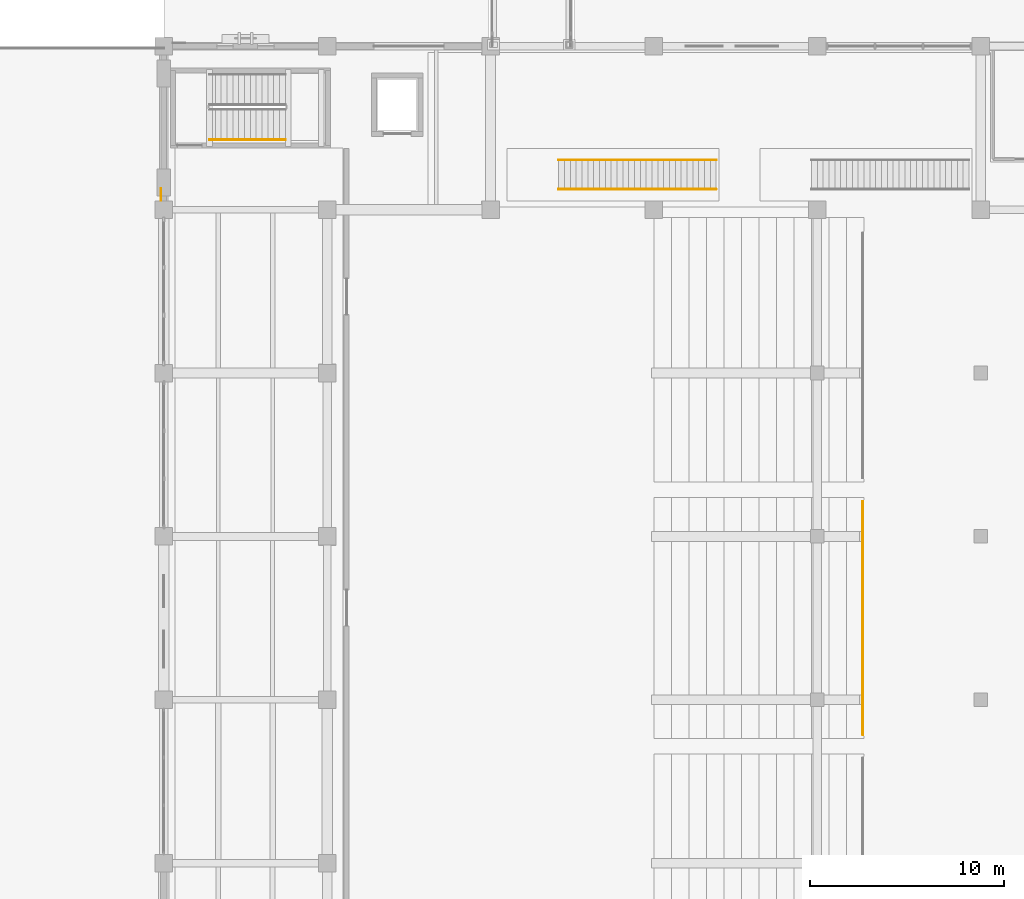
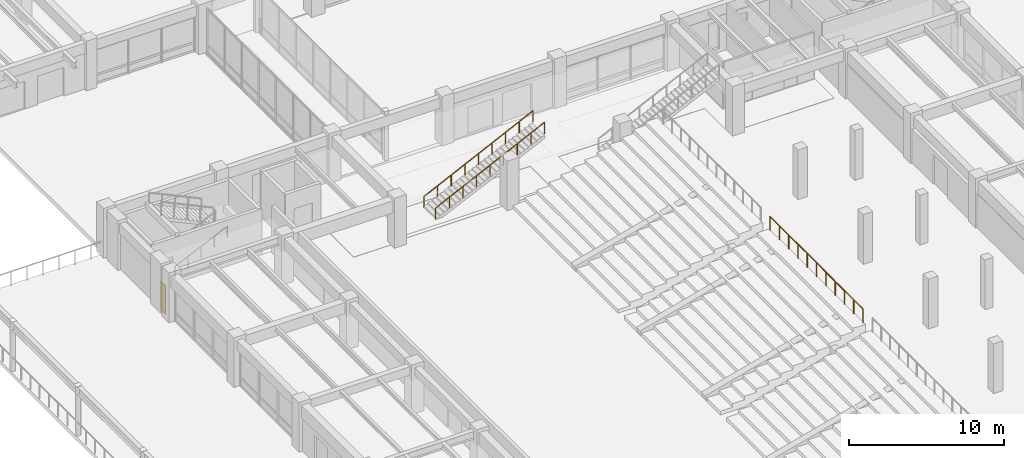
# One storey, part 107 of 135: 4 railings, 1 covering.
"""IFC4 building model written with IfcOpenShell, lengths in metres."""

import ifcopenshell
import ifcopenshell.guid

model = None  # the IFC model being written
_history = None  # IfcOwnerHistory: only IFC2X3 demands one
_inside = {}  # id of a spatial element -> (the spatial element, [elements in it])
_under = {}  # id of a project, library or spatial element -> (it, [spatial elements below it])
_declared = {}  # id of a project -> (the project, [libraries it declares])
_typed = {}  # id of a type object -> (the type object, [elements of that type])
_made_of = {}  # id of a material, layer set ... -> (it, [elements and type objects made of it])


def new_model(schema):
    """Start an empty IFC model of exactly this schema.

    Asked for "IFC4X3", IfcOpenShell would pick the latest addendum, in which some entities
    have other attributes; the version numbers below select the first issue.
    IFC2X3 requires an IfcOwnerHistory on every rooted entity: one is made here for all.
    """
    global model, _history
    if schema == "IFC4X3":
        model = ifcopenshell.file(schema_version=(4, 3, 0, 0))
    else:
        model = ifcopenshell.file(schema=schema)
    _inside.clear()
    _under.clear()
    _declared.clear()
    _typed.clear()
    _made_of.clear()
    _history = None
    if model.schema == "IFC2X3":
        org = make("IfcOrganization", Name="unknown")
        user = make(
            "IfcPersonAndOrganization",
            ThePerson=make("IfcPerson", FamilyName="unknown"),
            TheOrganization=org,
        )
        app = make(
            "IfcApplication",
            ApplicationDeveloper=org,
            Version="unknown",
            ApplicationFullName="unknown",
            ApplicationIdentifier="unknown",
        )
        _history = make(
            "IfcOwnerHistory",
            OwningUser=user,
            OwningApplication=app,
            ChangeAction="ADDED",
            CreationDate=0,
        )
    return model


def make(cls, **values):
    """One entity of the class cls with the attributes given. An attribute that is None is left unset."""
    return model.create_entity(
        cls, **{name: value for name, value in values.items() if value is not None}
    )


def rooted(cls, **values):
    """An entity with a GlobalId (a new one), such as an element, a storey or a relation."""
    return make(cls, GlobalId=ifcopenshell.guid.new(), OwnerHistory=_history, **values)


def si_unit(unit_type, name, prefix=None):
    """IfcSIUnit, for example si_unit("LENGTHUNIT", "METRE", prefix="MILLI")."""
    return make("IfcSIUnit", UnitType=unit_type, Prefix=prefix, Name=name)


def assignment(units):
    """IfcUnitAssignment: the units of a project."""
    return None if units is None else make("IfcUnitAssignment", Units=units)


def point(xyz):
    """IfcCartesianPoint."""
    return None if xyz is None else make("IfcCartesianPoint", Coordinates=xyz)


def direction(xyz):
    """IfcDirection."""
    return None if xyz is None else make("IfcDirection", DirectionRatios=xyz)


def frame(location, z_axis=None, x_axis=None):
    """IfcAxis2Placement3D, a coordinate frame: its origin and axes. An axis left out is left unset."""
    return make(
        "IfcAxis2Placement3D",
        Location=point(location),
        Axis=direction(z_axis),
        RefDirection=direction(x_axis),
    )


def frame_2d(location, x_axis=None):
    """IfcAxis2Placement2D, a coordinate frame in the plane: its origin and x axis."""
    return make(
        "IfcAxis2Placement2D", Location=point(location), RefDirection=direction(x_axis)
    )


def origin():
    """The frame at (0, 0, 0) with its axes left unset."""
    return frame((0.0, 0.0, 0.0))


def origin_2d():
    """The frame at (0, 0) in the plane with its x axis left unset."""
    return frame_2d((0.0, 0.0))


def place(relative_to, where):
    """IfcLocalPlacement: puts the frame where relative to a parent placement (None: the world)."""
    return make(
        "IfcLocalPlacement", PlacementRelTo=relative_to, RelativePlacement=where
    )


def context(
    kind, dimensions, precision=None, world=None, true_north=None, identifier=None
):
    """IfcGeometricRepresentationContext, for example the 3D "Model" context."""
    return make(
        "IfcGeometricRepresentationContext",
        ContextIdentifier=identifier,
        ContextType=kind,
        CoordinateSpaceDimension=dimensions,
        Precision=precision,
        WorldCoordinateSystem=world,
        TrueNorth=true_north,
    )


def subcontext(parent, identifier, kind, view, scale=None):
    """IfcGeometricRepresentationSubContext, for example "Body" below "Model"."""
    return make(
        "IfcGeometricRepresentationSubContext",
        ContextIdentifier=identifier,
        ContextType=kind,
        ParentContext=parent,
        TargetScale=scale,
        TargetView=view,
    )


def project(units=None, contexts=None):
    """IfcProject with its units and contexts."""
    return rooted(
        "IfcProject",
        Name="project",
        RepresentationContexts=contexts,
        UnitsInContext=assignment(units),
    )


def spatial(cls, under=None, at=None, **own):
    """A site, building, storey or space (cls), placed at a placement, below another one or the project."""
    s = rooted(cls, ObjectPlacement=at, **own)
    if under is not None:
        _under.setdefault(under.id(), (under, []))[1].append(s)
    return s


def polyline(points):
    """IfcPolyline through the points."""
    return make("IfcPolyline", Points=[point(p) for p in points])


def profile(cls, at=None, kind="AREA", **sizes):
    """A parametric profile (cls). Its sizes go by their IFC names, for example OverallWidth=200.0."""
    return make(cls, ProfileType=kind, Position=at, **sizes)


def circle(**sizes):
    """IfcCircleProfileDef."""
    return profile("IfcCircleProfileDef", **sizes)


def outline(outer, holes=None, kind="AREA"):
    """IfcArbitraryClosedProfileDef: a profile drawn as a closed curve; with holes, ...WithVoids."""
    if holes is None:
        return make("IfcArbitraryClosedProfileDef", ProfileType=kind, OuterCurve=outer)
    return make(
        "IfcArbitraryProfileDefWithVoids",
        ProfileType=kind,
        OuterCurve=outer,
        InnerCurves=holes,
    )


def extrude(swept, where, along, depth):
    """IfcExtrudedAreaSolid: the profile swept, set in the frame where, extruded along a direction by depth."""
    return make(
        "IfcExtrudedAreaSolid",
        SweptArea=swept,
        Position=where,
        ExtrudedDirection=direction(along),
        Depth=depth,
    )


def shape(context_of_items, identifier, shape_type, items):
    """IfcShapeRepresentation: the items that make up one representation, for example the "Body"."""
    return make(
        "IfcShapeRepresentation",
        ContextOfItems=context_of_items,
        RepresentationIdentifier=identifier,
        RepresentationType=shape_type,
        Items=items,
    )


def material(Name=None, Category=None):
    """IfcMaterial."""
    return make("IfcMaterial", Name=Name, Category=Category)


def layer(
    of_material, thickness, ventilated=None, Name=None, Category=None, Priority=None
):
    """IfcMaterialLayer: one layer of a wall or slab, of a material (None: an air gap)."""
    return make(
        "IfcMaterialLayer",
        Material=of_material,
        LayerThickness=thickness,
        IsVentilated=ventilated,
        Name=Name,
        Category=Category,
        Priority=Priority,
    )


def layer_set(layers, Name=None):
    """IfcMaterialLayerSet."""
    return make("IfcMaterialLayerSet", MaterialLayers=layers, LayerSetName=Name)


def made_of(thing, what):
    """Note that an element or type object is made of a material, layer set ...; save() writes the relation."""
    if what is not None:
        _made_of.setdefault(what.id(), (what, []))[1].append(thing)
    return thing


def type_object(cls, material=None, **own):
    """A type object (cls), such as IfcWallType, which elements share."""
    return made_of(rooted(cls, **own), material)


def element(
    cls,
    number,
    at=None,
    inside=None,
    cuts=None,
    type_object=None,
    material=None,
    context=None,
    identifier="Body",
    shape_type=None,
    held_by="IfcProductDefinitionShape",
    body=None,
    shapes=None,
    **own,
):
    """One element of the class cls, such as IfcWall. Its Tag is "e" and its number.

    at: its placement. inside: the storey or other place that contains it. cuts: it is an
    opening in that element (IfcRelVoidsElement). A single representation is given by context,
    identifier, shape_type and body (its items); several are given by shapes. held_by: the class
    of the entity that holds the representations. save() writes the other relations.
    """
    e = rooted(cls, Tag="e%d" % number, ObjectPlacement=at, **own)
    if body is not None:
        shapes = [shape(context, identifier, shape_type, body)]
    if shapes is not None:
        e.Representation = make(held_by, Representations=shapes)
    if inside is not None:
        _inside.setdefault(inside.id(), (inside, []))[1].append(e)
    if cuts is not None:
        rooted(
            "IfcRelVoidsElement", RelatingBuildingElement=cuts, RelatedOpeningElement=e
        )
    if type_object is not None:
        _typed.setdefault(type_object.id(), (type_object, []))[1].append(e)
    return made_of(e, material)


def aggregate(whole, parts):
    """IfcRelAggregates: a whole, such as a stair, and the parts it consists of."""
    return rooted("IfcRelAggregates", RelatingObject=whole, RelatedObjects=parts)


def save(model, path):
    """Write the relations noted so far, then the file.

    IfcRelAggregates (storeys below a building ...), IfcRelContainedInSpatialStructure (elements
    in a storey), IfcRelDefinesByType, IfcRelAssociatesMaterial and IfcRelDeclares: one each for
    every whole, place, type object, material and project.
    """
    for whole, parts in _under.values():
        aggregate(whole, parts)
    for where, things in _inside.values():
        rooted(
            "IfcRelContainedInSpatialStructure",
            RelatedElements=things,
            RelatingStructure=where,
        )
    for kind, things in _typed.values():
        rooted("IfcRelDefinesByType", RelatedObjects=things, RelatingType=kind)
    for what, things in _made_of.values():
        rooted("IfcRelAssociatesMaterial", RelatedObjects=things, RelatingMaterial=what)
    for by, libraries in _declared.values():
        rooted("IfcRelDeclares", RelatingContext=by, RelatedDefinitions=libraries)
    model.write(path)


model = new_model("IFC4")

# Units and contexts
model_context = context("Model", 3, precision=1e-05, world=origin(), true_north=direction((0.0, 1.0)))
body_context = subcontext(model_context, "Body", "Model", "MODEL_VIEW")
ifc_project = project(units=[si_unit("LENGTHUNIT", "METRE"), si_unit("AREAUNIT", "SQUARE_METRE"), si_unit("VOLUMEUNIT", "CUBIC_METRE"), si_unit("PLANEANGLEUNIT", "RADIAN"), si_unit("MASSUNIT", "GRAM", prefix="KILO")], contexts=[model_context])

# Site, building, storey
site_placement = place(None, origin())
site = spatial("IfcSite", under=ifc_project, at=site_placement, CompositionType="ELEMENT")
building_placement = place(site_placement, origin())
building = spatial("IfcBuilding", under=site, at=building_placement, Name="Cumbredor Promenade Congress Hotel", CompositionType="ELEMENT")
storey_placement = place(building_placement, origin())
storey = spatial("IfcBuildingStorey", under=building, at=storey_placement, Name="L00", CompositionType="ELEMENT", Elevation=0.0)

# Railings
ifc_material_1 = material(Name="Brushed stainless steel", Category="steel")
railing_type_1 = type_object("IfcRailingType", Name="Interior Void & Stair Guardrail GR-1100", PredefinedType="GUARDRAIL", material=ifc_material_1)
railing_1_placement = place(storey_placement, frame((44.35009765625, 31.800048828125, 3.360107421875)))
element("IfcRailing", 1, at=railing_1_placement, inside=storey, type_object=railing_type_1, Name="Lower Orchestra Tier 2 Rear Guardrail", PredefinedType="GUARDRAIL", context=body_context, shape_type="SweptSolid", body=[
    extrude(circle(Radius=0.02392578125, at=origin_2d()), frame((0.0, 0.0, 1.09619140625), z_axis=(0.0, 1.0, 0.0), x_axis=(-1.0, 0.0, 0.0)), (0.0, 0.0, 1.0), 12.0),
    extrude(circle(Radius=0.02099609375, at=origin_2d()), origin(), (0.0, 0.0, 1.0), 1.072021484375),
    extrude(circle(Radius=0.02099609375, at=origin_2d()), frame((0.0, 1.199951171875, 0.0)), (0.0, 0.0, 1.0), 1.072021484375),
    extrude(circle(Radius=0.02099609375, at=origin_2d()), frame((0.0, 2.39990234375, 0.0)), (0.0, 0.0, 1.0), 1.072021484375),
    extrude(circle(Radius=0.02099609375, at=origin_2d()), frame((0.0, 3.60009765625, 0.0)), (0.0, 0.0, 1.0), 1.072021484375),
    extrude(circle(Radius=0.02099609375, at=origin_2d()), frame((0.0, 4.800048828125, 0.0)), (0.0, 0.0, 1.0), 1.072021484375),
    extrude(circle(Radius=0.02099609375, at=origin_2d()), frame((0.0, 6.0, 0.0)), (0.0, 0.0, 1.0), 1.072021484375),
    extrude(circle(Radius=0.02099609375, at=origin_2d()), frame((0.0, 7.199951171875, 0.0)), (0.0, 0.0, 1.0), 1.072021484375),
    extrude(circle(Radius=0.02099609375, at=origin_2d()), frame((0.0, 8.39990234375, 0.0)), (0.0, 0.0, 1.0), 1.072021484375),
    extrude(circle(Radius=0.02099609375, at=origin_2d()), frame((0.0, 9.60009765625, 0.0)), (0.0, 0.0, 1.0), 1.072021484375),
    extrude(circle(Radius=0.02099609375, at=origin_2d()), frame((0.0, 10.800048828125, 0.0)), (0.0, 0.0, 1.0), 1.072021484375),
    extrude(circle(Radius=0.02099609375, at=origin_2d()), frame((0.0, 12.0, 0.0)), (0.0, 0.0, 1.0), 1.072021484375),
])
railing_type_2 = type_object("IfcRailingType", Name="Stair Pitch Handrail HR-900", PredefinedType="HANDRAIL", material=ifc_material_1)
railing_2_placement = place(storey_placement, frame((10.75, 62.39990234375, 0.139892578125)))
element("IfcRailing", 2, at=railing_2_placement, inside=storey, type_object=railing_type_2, Name="L00 ST-06 stair handrail 1", PredefinedType="HANDRAIL", context=body_context, shape_type="SweptSolid", body=[
    extrude(circle(Radius=0.02392578125, at=origin_2d()), frame((0.0, 0.0, 0.8759765625), z_axis=(0.906172994947, 0.0, 0.42290720404), x_axis=(0.0, 1.0, 0.0)), (0.0, 0.0, 1.0), 4.3037109375),
    extrude(circle(Radius=0.02099609375, at=origin_2d()), origin(), (0.0, 0.0, 1.0), 0.851806640625),
    extrude(circle(Radius=0.02099609375, at=origin_2d()), frame((0.97509765625, 0.0, 0.455078125)), (0.0, 0.0, 1.0), 0.851806640625),
    extrude(circle(Radius=0.02099609375, at=origin_2d()), frame((1.949951171875, 0.0, 0.91015625)), (0.0, 0.0, 1.0), 0.851806640625),
    extrude(circle(Radius=0.02099609375, at=origin_2d()), frame((2.9248046875, 0.0, 1.364990234375)), (0.0, 0.0, 1.0), 0.851806640625),
    extrude(circle(Radius=0.02099609375, at=origin_2d()), frame((3.89990234375, 0.0, 1.820068359375)), (0.0, 0.0, 1.0), 0.851806640625),
])
for number, where, name in (
    (3, (28.7041015625, 59.85009765625, -0.0029296875), "Plenary North-West Vomitory Stair Handrail R"),
    (4, (28.7041015625, 61.35009765625, -0.0029296875), "Plenary North-West Vomitory Stair Handrail L"),
):
    element("IfcRailing", number, at=place(storey_placement, frame(where)), inside=storey, type_object=railing_type_2, Name=name, PredefinedType="HANDRAIL", context=body_context, shape_type="SweptSolid", body=[
        extrude(circle(Radius=0.02099609375, at=origin_2d()), frame((0.0, 0.0, 0.87890625), z_axis=(0.900131454984, 0.0, 0.435618369389), x_axis=(0.0, 1.0, 0.0)), (0.0, 0.0, 1.0), 8.99853515625),
        extrude(circle(Radius=0.01806640625, at=origin_2d()), origin(), (0.0, 0.0, 1.0), 0.85791015625),
        extrude(circle(Radius=0.01806640625, at=origin_2d()), frame((1.012451171875, 0.0, 0.489990234375)), (0.0, 0.0, 1.0), 0.85791015625),
        extrude(circle(Radius=0.01806640625, at=origin_2d()), frame((2.02490234375, 0.0, 0.97998046875)), (0.0, 0.0, 1.0), 0.85791015625),
        extrude(circle(Radius=0.01806640625, at=origin_2d()), frame((3.037353515625, 0.0, 1.469970703125)), (0.0, 0.0, 1.0), 0.85791015625),
        extrude(circle(Radius=0.01806640625, at=origin_2d()), frame((4.0498046875, 0.0, 1.9599609375)), (0.0, 0.0, 1.0), 0.85791015625),
        extrude(circle(Radius=0.01806640625, at=origin_2d()), frame((5.0625, 0.0, 2.449951171875)), (0.0, 0.0, 1.0), 0.85791015625),
        extrude(circle(Radius=0.01806640625, at=origin_2d()), frame((6.074951171875, 0.0, 2.93994140625)), (0.0, 0.0, 1.0), 0.85791015625),
        extrude(circle(Radius=0.01806640625, at=origin_2d()), frame((7.08740234375, 0.0, 3.429931640625)), (0.0, 0.0, 1.0), 0.85791015625),
        extrude(circle(Radius=0.01806640625, at=origin_2d()), frame((8.099853515625, 0.0, 3.919921875)), (0.0, 0.0, 1.0), 0.85791015625),
    ])

# Covering
ifc_material_2 = material(Name="Volcanic andesite ashlar cladding", Category="masonry")
ifc_layer = layer(ifc_material_2, 0.034912109375, Name="Volcanic andesite ashlar cladding", Category="masonry")
ifc_layer_set = layer_set([ifc_layer], Name="Volcanic andesite ashlar cladding")
covering_type = type_object("IfcCoveringType", Name="Volcanic Andesite Ashlar Rainscreen Cladding 35mm", PredefinedType="CLADDING", material=ifc_layer_set)
covering_placement = place(storey_placement, origin())
element("IfcCovering", 5, at=covering_placement, inside=storey, type_object=covering_type, Name="L00 Facade Stone Cladding Pier 007", PredefinedType="CLADDING", context=body_context, shape_type="SweptSolid", body=[
    extrude(outline(polyline([(8.27001953125, 59.2509765625), (8.27001953125, 59.90087890625), (8.235107421875, 59.90087890625), (8.235107421875, 59.2509765625), (8.27001953125, 59.2509765625)])), origin(), (0.0, 0.0, 1.0), 2.25),
])

save(model, "model.ifc")
